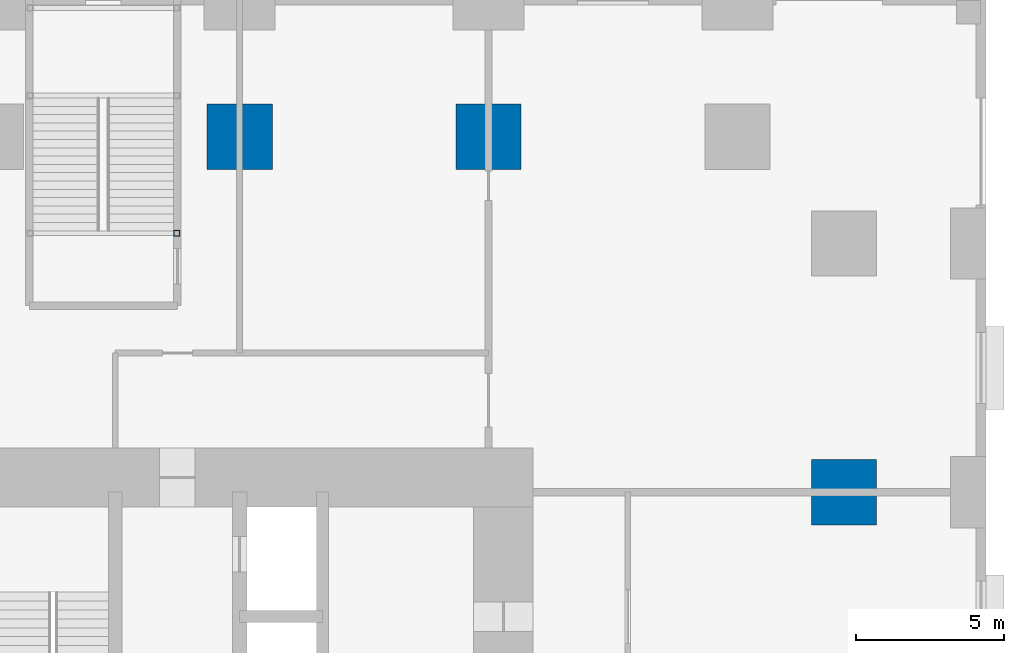
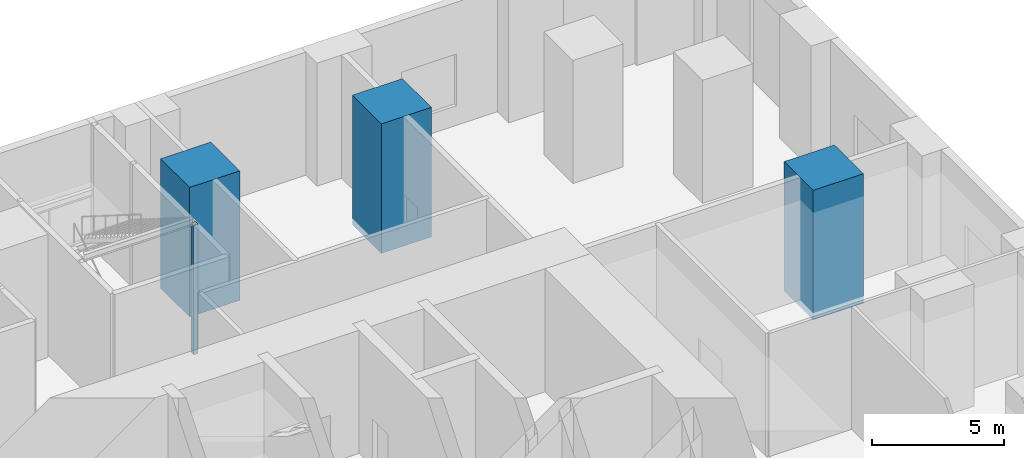
# One storey, part 10 of 26: 4 columns.
"""IFC4 building model written with IfcOpenShell, lengths in metres."""

from ifc_helpers import new_model, si_unit, direction, frame, origin, origin_2d, place, context, subcontext, project, spatial, rectangle, hollow_rectangle, extrude, material, material_profile, profile_set, type_object, element, save


model = new_model("IFC4")

# Units and contexts
model_context = context("Model", 3, precision=1e-05, world=origin(), true_north=direction((0.0, 1.0)))
body_context = subcontext(model_context, "Body", "Model", "MODEL_VIEW")
ifc_project = project(units=[si_unit("LENGTHUNIT", "METRE"), si_unit("AREAUNIT", "SQUARE_METRE"), si_unit("VOLUMEUNIT", "CUBIC_METRE"), si_unit("PLANEANGLEUNIT", "RADIAN"), si_unit("MASSUNIT", "GRAM", prefix="KILO")], contexts=[model_context])

# Site, building, storey
site_placement = place(None, origin())
site = spatial("IfcSite", under=ifc_project, at=site_placement, CompositionType="ELEMENT")
building_placement = place(site_placement, origin())
building = spatial("IfcBuilding", under=site, at=building_placement, Name="Dunama Terrace Hotel", CompositionType="ELEMENT")
storey_placement = place(building_placement, origin())
storey = spatial("IfcBuildingStorey", under=building, at=storey_placement, Name="L00", CompositionType="ELEMENT", Elevation=0.0)

# Columns
ifc_material_1 = material(Name="Concrete C60/75", Category="concrete")
ifc_material_profile_1 = material_profile(ifc_material_1, rectangle(XDim=2.199951171875, YDim=2.199951171875, at=origin_2d()), Name="RC 2200x2200")
ifc_profile_set_1 = profile_set([ifc_material_profile_1], Name="Concrete C60/75")
column_type_1 = type_object("IfcColumnType", Name="Column RC 2200x2200", PredefinedType="COLUMN", material=ifc_profile_set_1)
for number, where, z_axis, x_axis, name in (
    (1, (33.60009765625, 54.0, -0.300048828125), (0.0, 0.0, 1.0), (1.0, 0.0, 0.0), "Column L00 +33.6/+54.0"),
    (2, (42.0, 54.0, -0.300048828125), (0.0, 0.0, 1.0), (1.0, 0.0, 0.0), "Column L00 +42.0/+54.0"),
    (3, (54.0, 42.0, -0.300048828125), (0.0, 0.0, 1.0), (1.0, 0.0, 0.0), "Column L00 +54.0/+42.0"),
):
    element("IfcColumn", number, at=place(storey_placement, frame(where, z_axis=z_axis, x_axis=x_axis)), inside=storey, type_object=column_type_1, Name=name, PredefinedType="COLUMN", context=body_context, shape_type="SweptSolid", body=[
        extrude(rectangle(XDim=2.199951171875, YDim=2.199951171875, at=origin_2d()), origin(), (0.0, 0.0, 1.0), 6.0),
    ])
ifc_material_2 = material(Name="Steel S355", Category="steel")
ifc_material_profile_2 = material_profile(ifc_material_2, hollow_rectangle(XDim=0.199951171875, YDim=0.199951171875, WallThickness=0.010009765625, at=origin_2d()), Name="SHS 200x200x10")
ifc_profile_set_2 = profile_set([ifc_material_profile_2], Name="Steel S355")
column_type_2 = type_object("IfcColumnType", Name="Stair post SHS 200x200x10", PredefinedType="COLUMN", material=ifc_profile_set_2)
column_placement = place(storey_placement, frame((31.47509765625, 50.742431640625, -0.300048828125), z_axis=(0.0, 0.0, 1.0), x_axis=(1.0, 0.0, 0.0)))
element("IfcColumn", 4, at=column_placement, inside=storey, type_object=column_type_2, Name="Stair post P6 L00 +31.48/+50.74", PredefinedType="COLUMN", context=body_context, shape_type="SweptSolid", body=[
    extrude(hollow_rectangle(XDim=0.199951171875, YDim=0.199951171875, WallThickness=0.010009765625, at=origin_2d()), origin(), (0.0, 0.0, 1.0), 6.0),
])

save(model, "model.ifc")
